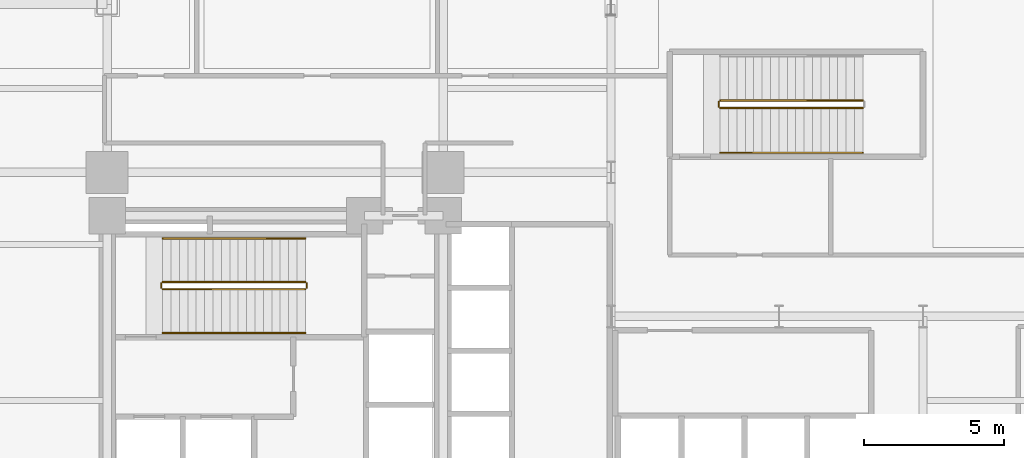
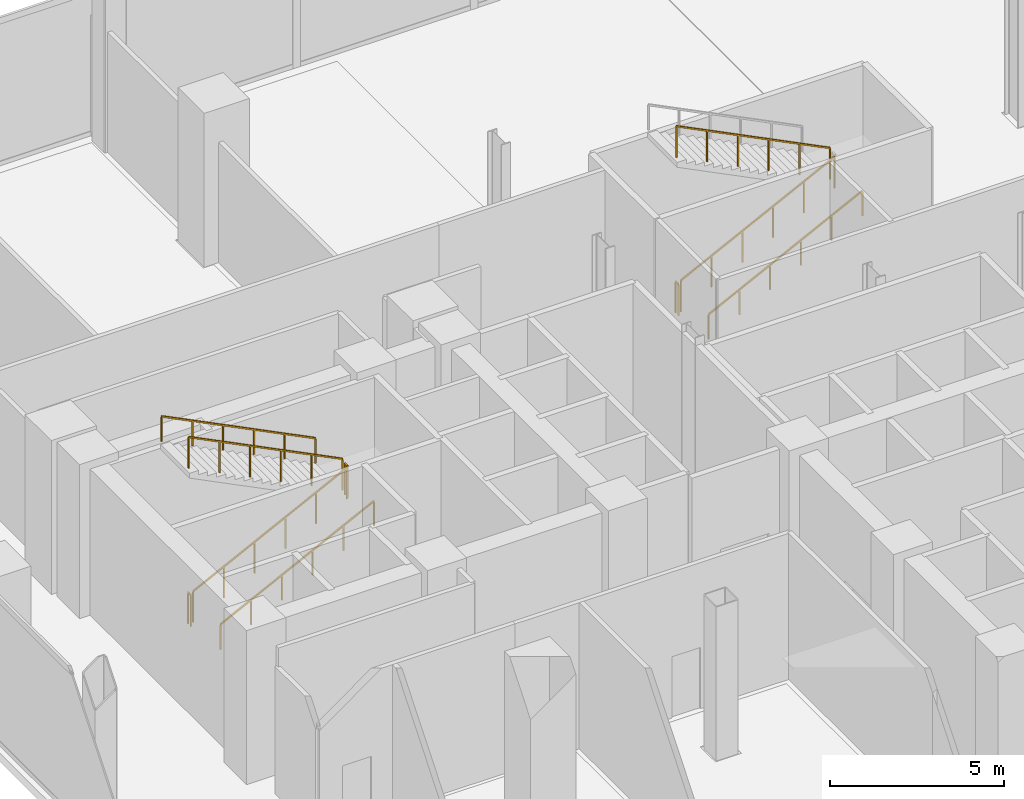
# One storey, part 25 of 27: 10 railings.
"""IFC4 building model written with IfcOpenShell, lengths in metres."""

import ifcopenshell
import ifcopenshell.guid

model = None  # the IFC model being written
_history = None  # IfcOwnerHistory: only IFC2X3 demands one
_inside = {}  # id of a spatial element -> (the spatial element, [elements in it])
_under = {}  # id of a project, library or spatial element -> (it, [spatial elements below it])
_declared = {}  # id of a project -> (the project, [libraries it declares])
_typed = {}  # id of a type object -> (the type object, [elements of that type])
_made_of = {}  # id of a material, layer set ... -> (it, [elements and type objects made of it])


def new_model(schema):
    """Start an empty IFC model of exactly this schema.

    Asked for "IFC4X3", IfcOpenShell would pick the latest addendum, in which some entities
    have other attributes; the version numbers below select the first issue.
    IFC2X3 requires an IfcOwnerHistory on every rooted entity: one is made here for all.
    """
    global model, _history
    if schema == "IFC4X3":
        model = ifcopenshell.file(schema_version=(4, 3, 0, 0))
    else:
        model = ifcopenshell.file(schema=schema)
    _inside.clear()
    _under.clear()
    _declared.clear()
    _typed.clear()
    _made_of.clear()
    _history = None
    if model.schema == "IFC2X3":
        org = make("IfcOrganization", Name="unknown")
        user = make(
            "IfcPersonAndOrganization",
            ThePerson=make("IfcPerson", FamilyName="unknown"),
            TheOrganization=org,
        )
        app = make(
            "IfcApplication",
            ApplicationDeveloper=org,
            Version="unknown",
            ApplicationFullName="unknown",
            ApplicationIdentifier="unknown",
        )
        _history = make(
            "IfcOwnerHistory",
            OwningUser=user,
            OwningApplication=app,
            ChangeAction="ADDED",
            CreationDate=0,
        )
    return model


def make(cls, **values):
    """One entity of the class cls with the attributes given. An attribute that is None is left unset."""
    return model.create_entity(
        cls, **{name: value for name, value in values.items() if value is not None}
    )


def rooted(cls, **values):
    """An entity with a GlobalId (a new one), such as an element, a storey or a relation."""
    return make(cls, GlobalId=ifcopenshell.guid.new(), OwnerHistory=_history, **values)


def si_unit(unit_type, name, prefix=None):
    """IfcSIUnit, for example si_unit("LENGTHUNIT", "METRE", prefix="MILLI")."""
    return make("IfcSIUnit", UnitType=unit_type, Prefix=prefix, Name=name)


def assignment(units):
    """IfcUnitAssignment: the units of a project."""
    return None if units is None else make("IfcUnitAssignment", Units=units)


def point(xyz):
    """IfcCartesianPoint."""
    return None if xyz is None else make("IfcCartesianPoint", Coordinates=xyz)


def direction(xyz):
    """IfcDirection."""
    return None if xyz is None else make("IfcDirection", DirectionRatios=xyz)


def frame(location, z_axis=None, x_axis=None):
    """IfcAxis2Placement3D, a coordinate frame: its origin and axes. An axis left out is left unset."""
    return make(
        "IfcAxis2Placement3D",
        Location=point(location),
        Axis=direction(z_axis),
        RefDirection=direction(x_axis),
    )


def frame_2d(location, x_axis=None):
    """IfcAxis2Placement2D, a coordinate frame in the plane: its origin and x axis."""
    return make(
        "IfcAxis2Placement2D", Location=point(location), RefDirection=direction(x_axis)
    )


def origin():
    """The frame at (0, 0, 0) with its axes left unset."""
    return frame((0.0, 0.0, 0.0))


def origin_2d():
    """The frame at (0, 0) in the plane with its x axis left unset."""
    return frame_2d((0.0, 0.0))


def place(relative_to, where):
    """IfcLocalPlacement: puts the frame where relative to a parent placement (None: the world)."""
    return make(
        "IfcLocalPlacement", PlacementRelTo=relative_to, RelativePlacement=where
    )


def context(
    kind, dimensions, precision=None, world=None, true_north=None, identifier=None
):
    """IfcGeometricRepresentationContext, for example the 3D "Model" context."""
    return make(
        "IfcGeometricRepresentationContext",
        ContextIdentifier=identifier,
        ContextType=kind,
        CoordinateSpaceDimension=dimensions,
        Precision=precision,
        WorldCoordinateSystem=world,
        TrueNorth=true_north,
    )


def subcontext(parent, identifier, kind, view, scale=None):
    """IfcGeometricRepresentationSubContext, for example "Body" below "Model"."""
    return make(
        "IfcGeometricRepresentationSubContext",
        ContextIdentifier=identifier,
        ContextType=kind,
        ParentContext=parent,
        TargetScale=scale,
        TargetView=view,
    )


def project(units=None, contexts=None):
    """IfcProject with its units and contexts."""
    return rooted(
        "IfcProject",
        Name="project",
        RepresentationContexts=contexts,
        UnitsInContext=assignment(units),
    )


def spatial(cls, under=None, at=None, **own):
    """A site, building, storey or space (cls), placed at a placement, below another one or the project."""
    s = rooted(cls, ObjectPlacement=at, **own)
    if under is not None:
        _under.setdefault(under.id(), (under, []))[1].append(s)
    return s


def profile(cls, at=None, kind="AREA", **sizes):
    """A parametric profile (cls). Its sizes go by their IFC names, for example OverallWidth=200.0."""
    return make(cls, ProfileType=kind, Position=at, **sizes)


def rectangle(**sizes):
    """IfcRectangleProfileDef."""
    return profile("IfcRectangleProfileDef", **sizes)


def extrude(swept, where, along, depth):
    """IfcExtrudedAreaSolid: the profile swept, set in the frame where, extruded along a direction by depth."""
    return make(
        "IfcExtrudedAreaSolid",
        SweptArea=swept,
        Position=where,
        ExtrudedDirection=direction(along),
        Depth=depth,
    )


def shape(context_of_items, identifier, shape_type, items):
    """IfcShapeRepresentation: the items that make up one representation, for example the "Body"."""
    return make(
        "IfcShapeRepresentation",
        ContextOfItems=context_of_items,
        RepresentationIdentifier=identifier,
        RepresentationType=shape_type,
        Items=items,
    )


def material(Name=None, Category=None):
    """IfcMaterial."""
    return make("IfcMaterial", Name=Name, Category=Category)


def made_of(thing, what):
    """Note that an element or type object is made of a material, layer set ...; save() writes the relation."""
    if what is not None:
        _made_of.setdefault(what.id(), (what, []))[1].append(thing)
    return thing


def type_object(cls, material=None, **own):
    """A type object (cls), such as IfcWallType, which elements share."""
    return made_of(rooted(cls, **own), material)


def element(
    cls,
    number,
    at=None,
    inside=None,
    cuts=None,
    type_object=None,
    material=None,
    context=None,
    identifier="Body",
    shape_type=None,
    held_by="IfcProductDefinitionShape",
    body=None,
    shapes=None,
    **own,
):
    """One element of the class cls, such as IfcWall. Its Tag is "e" and its number.

    at: its placement. inside: the storey or other place that contains it. cuts: it is an
    opening in that element (IfcRelVoidsElement). A single representation is given by context,
    identifier, shape_type and body (its items); several are given by shapes. held_by: the class
    of the entity that holds the representations. save() writes the other relations.
    """
    e = rooted(cls, Tag="e%d" % number, ObjectPlacement=at, **own)
    if body is not None:
        shapes = [shape(context, identifier, shape_type, body)]
    if shapes is not None:
        e.Representation = make(held_by, Representations=shapes)
    if inside is not None:
        _inside.setdefault(inside.id(), (inside, []))[1].append(e)
    if cuts is not None:
        rooted(
            "IfcRelVoidsElement", RelatingBuildingElement=cuts, RelatedOpeningElement=e
        )
    if type_object is not None:
        _typed.setdefault(type_object.id(), (type_object, []))[1].append(e)
    return made_of(e, material)


def aggregate(whole, parts):
    """IfcRelAggregates: a whole, such as a stair, and the parts it consists of."""
    return rooted("IfcRelAggregates", RelatingObject=whole, RelatedObjects=parts)


def save(model, path):
    """Write the relations noted so far, then the file.

    IfcRelAggregates (storeys below a building ...), IfcRelContainedInSpatialStructure (elements
    in a storey), IfcRelDefinesByType, IfcRelAssociatesMaterial and IfcRelDeclares: one each for
    every whole, place, type object, material and project.
    """
    for whole, parts in _under.values():
        aggregate(whole, parts)
    for where, things in _inside.values():
        rooted(
            "IfcRelContainedInSpatialStructure",
            RelatedElements=things,
            RelatingStructure=where,
        )
    for kind, things in _typed.values():
        rooted("IfcRelDefinesByType", RelatedObjects=things, RelatingType=kind)
    for what, things in _made_of.values():
        rooted("IfcRelAssociatesMaterial", RelatedObjects=things, RelatingMaterial=what)
    for by, libraries in _declared.values():
        rooted("IfcRelDeclares", RelatingContext=by, RelatedDefinitions=libraries)
    model.write(path)


model = new_model("IFC4")

# Units and contexts
model_context = context("Model", 3, precision=1e-05, world=origin(), true_north=direction((0.0, 1.0)))
body_context = subcontext(model_context, "Body", "Model", "MODEL_VIEW")
ifc_project = project(units=[si_unit("LENGTHUNIT", "METRE"), si_unit("AREAUNIT", "SQUARE_METRE"), si_unit("VOLUMEUNIT", "CUBIC_METRE"), si_unit("PLANEANGLEUNIT", "RADIAN"), si_unit("MASSUNIT", "GRAM", prefix="KILO"), si_unit("THERMODYNAMICTEMPERATUREUNIT", "KELVIN"), si_unit("POWERUNIT", "WATT")], contexts=[model_context])

# Site, building, storey
site_placement = place(None, origin())
site = spatial("IfcSite", under=ifc_project, at=site_placement, CompositionType="ELEMENT")
building_placement = place(site_placement, origin())
building = spatial("IfcBuilding", under=site, at=building_placement, Name="Svarakhadi Broadcast Tower", CompositionType="ELEMENT")
storey_placement = place(building_placement, frame((0.0, 0.0, 16.5)))
storey = spatial("IfcBuildingStorey", under=building, at=storey_placement, Name="L03", CompositionType="ELEMENT", Elevation=16.5)

# Railings
ifc_material = material(Name="Anodised Bronze Aluminium AA 6063-T6", Category="aluminium")
railing_type_1 = type_object("IfcRailingType", Name="Guard_Stair_GR01", PredefinedType="GUARDRAIL", material=ifc_material)
railing_1_placement = place(storey_placement, frame((7.97998046875, 24.969970703125, 0.14990234375)))
element("IfcRailing", 1, at=railing_1_placement, inside=storey, type_object=railing_type_1, Name="L03 ST-01 stair guard 1", PredefinedType="GUARDRAIL", context=body_context, shape_type="SweptSolid", body=[
    extrude(rectangle(XDim=0.048095703125, YDim=0.048095703125, at=origin_2d()), frame((0.0, 0.0, 1.09619140625), z_axis=(0.894427191, 0.0, 0.4472135955), x_axis=(0.0, 1.0, 0.0)), (0.0, 0.0, 1.0), 5.7021484375),
    extrude(rectangle(XDim=0.0419921875, YDim=0.0419921875, at=origin_2d()), origin(), (0.0, 0.0, 1.0), 1.072021484375),
    extrude(rectangle(XDim=0.0419921875, YDim=0.0419921875, at=origin_2d()), frame((1.02001953125, 0.0, 0.510009765625)), (0.0, 0.0, 1.0), 1.072021484375),
    extrude(rectangle(XDim=0.0419921875, YDim=0.0419921875, at=origin_2d()), frame((2.0400390625, 0.0, 1.02001953125)), (0.0, 0.0, 1.0), 1.072021484375),
    extrude(rectangle(XDim=0.0419921875, YDim=0.0419921875, at=origin_2d()), frame((3.06005859375, 0.0, 1.530029296875)), (0.0, 0.0, 1.0), 1.072021484375),
    extrude(rectangle(XDim=0.0419921875, YDim=0.0419921875, at=origin_2d()), frame((4.080078125, 0.0, 2.0400390625)), (0.0, 0.0, 1.0), 1.072021484375),
    extrude(rectangle(XDim=0.0419921875, YDim=0.0419921875, at=origin_2d()), frame((5.10009765625, 0.0, 2.550048828125)), (0.0, 0.0, 1.0), 1.072021484375),
])
railing_2_placement = place(storey_placement, frame((13.1298828125, 25.02001953125, 2.699951171875)))
element("IfcRailing", 2, at=railing_2_placement, inside=storey, type_object=railing_type_1, Name="L03 ST-01 stair guard 2", PredefinedType="GUARDRAIL", context=body_context, shape_type="SweptSolid", body=[
    extrude(rectangle(XDim=0.048095703125, YDim=0.048095703125, at=origin_2d()), frame((0.0, 0.0, 1.09619140625), z_axis=(0.0, 1.0, 0.0), x_axis=(-1.0, 0.0, 0.0)), (0.0, 0.0, 1.0), 0.159912109375),
    extrude(rectangle(XDim=0.0419921875, YDim=0.0419921875, at=origin_2d()), origin(), (0.0, 0.0, 1.0), 1.072021484375),
    extrude(rectangle(XDim=0.0419921875, YDim=0.0419921875, at=origin_2d()), frame((0.0, 0.159912109375, 0.0)), (0.0, 0.0, 1.0), 1.072021484375),
])
railing_3_placement = place(storey_placement, frame((13.080078125, 25.22998046875, 2.85009765625)))
element("IfcRailing", 3, at=railing_3_placement, inside=storey, type_object=railing_type_1, Name="L03 ST-01 stair guard 3", PredefinedType="GUARDRAIL", context=body_context, shape_type="SweptSolid", body=[
    extrude(rectangle(XDim=0.048095703125, YDim=0.048095703125, at=origin_2d()), frame((0.0, 0.0, 1.09619140625), z_axis=(-0.89444431709, 0.0, 0.44717934168), x_axis=(0.0, -1.0, 0.0)), (0.0, 0.0, 1.0), 5.701904296875),
    extrude(rectangle(XDim=0.0419921875, YDim=0.0419921875, at=origin_2d()), origin(), (0.0, 0.0, 1.0), 1.072021484375),
    extrude(rectangle(XDim=0.0419921875, YDim=0.0419921875, at=origin_2d()), frame((-1.02001953125, 0.0, 0.510009765625)), (0.0, 0.0, 1.0), 1.072021484375),
    extrude(rectangle(XDim=0.0419921875, YDim=0.0419921875, at=origin_2d()), frame((-2.0400390625, 0.0, 1.02001953125)), (0.0, 0.0, 1.0), 1.072021484375),
    extrude(rectangle(XDim=0.0419921875, YDim=0.0419921875, at=origin_2d()), frame((-3.06005859375, 0.0, 1.52978515625)), (0.0, 0.0, 1.0), 1.072021484375),
    extrude(rectangle(XDim=0.0419921875, YDim=0.0419921875, at=origin_2d()), frame((-4.080078125, 0.0, 2.039794921875)), (0.0, 0.0, 1.0), 1.072021484375),
    extrude(rectangle(XDim=0.0419921875, YDim=0.0419921875, at=origin_2d()), frame((-5.10009765625, 0.0, 2.5498046875)), (0.0, 0.0, 1.0), 1.072021484375),
])
railing_4_placement = place(storey_placement, frame((7.929931640625, 25.02001953125, 0.0)))
element("IfcRailing", 4, at=railing_4_placement, inside=storey, type_object=railing_type_1, Name="L03 ST-01 stair guard 4", PredefinedType="GUARDRAIL", context=body_context, shape_type="SweptSolid", body=[
    extrude(rectangle(XDim=0.048095703125, YDim=0.048095703125, at=origin_2d()), frame((0.0, 0.0, 1.09619140625), z_axis=(0.0, 1.0, 0.0), x_axis=(-1.0, 0.0, 0.0)), (0.0, 0.0, 1.0), 0.159912109375),
    extrude(rectangle(XDim=0.0419921875, YDim=0.0419921875, at=origin_2d()), origin(), (0.0, 0.0, 1.0), 1.072021484375),
    extrude(rectangle(XDim=0.0419921875, YDim=0.0419921875, at=origin_2d()), frame((0.0, 0.159912109375, 0.0)), (0.0, 0.0, 1.0), 1.072021484375),
])
railing_5_placement = place(storey_placement, frame((27.89990234375, 31.449951171875, 0.14990234375)))
element("IfcRailing", 5, at=railing_5_placement, inside=storey, type_object=railing_type_1, Name="L03 ST-03 stair guard 1", PredefinedType="GUARDRAIL", context=body_context, shape_type="SweptSolid", body=[
    extrude(rectangle(XDim=0.048095703125, YDim=0.048095703125, at=origin_2d()), frame((0.0, 0.0, 1.09619140625), z_axis=(0.894427191, 0.0, 0.4472135955), x_axis=(0.0, 1.0, 0.0)), (0.0, 0.0, 1.0), 5.7021484375),
    extrude(rectangle(XDim=0.0419921875, YDim=0.0419921875, at=origin_2d()), origin(), (0.0, 0.0, 1.0), 1.072021484375),
    extrude(rectangle(XDim=0.0419921875, YDim=0.0419921875, at=origin_2d()), frame((1.02001953125, 0.0, 0.510009765625)), (0.0, 0.0, 1.0), 1.072021484375),
    extrude(rectangle(XDim=0.0419921875, YDim=0.0419921875, at=origin_2d()), frame((2.0400390625, 0.0, 1.02001953125)), (0.0, 0.0, 1.0), 1.072021484375),
    extrude(rectangle(XDim=0.0419921875, YDim=0.0419921875, at=origin_2d()), frame((3.06005859375, 0.0, 1.530029296875)), (0.0, 0.0, 1.0), 1.072021484375),
    extrude(rectangle(XDim=0.0419921875, YDim=0.0419921875, at=origin_2d()), frame((4.080078125, 0.0, 2.0400390625)), (0.0, 0.0, 1.0), 1.072021484375),
    extrude(rectangle(XDim=0.0419921875, YDim=0.0419921875, at=origin_2d()), frame((5.10009765625, 0.0, 2.550048828125)), (0.0, 0.0, 1.0), 1.072021484375),
])
railing_6_placement = place(storey_placement, frame((33.0, 31.7099609375, 2.85009765625)))
element("IfcRailing", 6, at=railing_6_placement, inside=storey, type_object=railing_type_1, Name="L03 ST-03 stair guard 3", PredefinedType="GUARDRAIL", context=body_context, shape_type="SweptSolid", body=[
    extrude(rectangle(XDim=0.048095703125, YDim=0.048095703125, at=origin_2d()), frame((0.0, 0.0, 1.09619140625), z_axis=(-0.89444431709, 0.0, 0.44717934168), x_axis=(0.0, -1.0, 0.0)), (0.0, 0.0, 1.0), 5.701904296875),
    extrude(rectangle(XDim=0.0419921875, YDim=0.0419921875, at=origin_2d()), origin(), (0.0, 0.0, 1.0), 1.072021484375),
    extrude(rectangle(XDim=0.0419921875, YDim=0.0419921875, at=origin_2d()), frame((-1.02001953125, 0.0, 0.510009765625)), (0.0, 0.0, 1.0), 1.072021484375),
    extrude(rectangle(XDim=0.0419921875, YDim=0.0419921875, at=origin_2d()), frame((-2.0400390625, 0.0, 1.02001953125)), (0.0, 0.0, 1.0), 1.072021484375),
    extrude(rectangle(XDim=0.0419921875, YDim=0.0419921875, at=origin_2d()), frame((-3.06005859375, 0.0, 1.52978515625)), (0.0, 0.0, 1.0), 1.072021484375),
    extrude(rectangle(XDim=0.0419921875, YDim=0.0419921875, at=origin_2d()), frame((-4.080078125, 0.0, 2.039794921875)), (0.0, 0.0, 1.0), 1.072021484375),
    extrude(rectangle(XDim=0.0419921875, YDim=0.0419921875, at=origin_2d()), frame((-5.10009765625, 0.0, 2.5498046875)), (0.0, 0.0, 1.0), 1.072021484375),
])
railing_7_placement = place(storey_placement, frame((27.85009765625, 31.5, 0.0)))
element("IfcRailing", 7, at=railing_7_placement, inside=storey, type_object=railing_type_1, Name="L03 ST-03 stair guard 4", PredefinedType="GUARDRAIL", context=body_context, shape_type="SweptSolid", body=[
    extrude(rectangle(XDim=0.048095703125, YDim=0.048095703125, at=origin_2d()), frame((0.0, 0.0, 1.09619140625), z_axis=(0.0, 1.0, 0.0), x_axis=(-1.0, 0.0, 0.0)), (0.0, 0.0, 1.0), 0.159912109375),
    extrude(rectangle(XDim=0.0419921875, YDim=0.0419921875, at=origin_2d()), origin(), (0.0, 0.0, 1.0), 1.072021484375),
    extrude(rectangle(XDim=0.0419921875, YDim=0.0419921875, at=origin_2d()), frame((0.0, 0.159912109375, 0.0)), (0.0, 0.0, 1.0), 1.072021484375),
])
railing_type_2 = type_object("IfcRailingType", Name="Handrail_Stair_HR01", PredefinedType="HANDRAIL", material=ifc_material)
railing_8_placement = place(storey_placement, frame((7.97998046875, 23.409912109375, 0.14990234375)))
element("IfcRailing", 8, at=railing_8_placement, inside=storey, type_object=railing_type_2, Name="L03 ST-01 stair handrail 1", PredefinedType="HANDRAIL", context=body_context, shape_type="SweptSolid", body=[
    extrude(rectangle(XDim=0.048095703125, YDim=0.048095703125, at=origin_2d()), frame((0.0, 0.0, 0.8759765625), z_axis=(0.894427191, 0.0, 0.4472135955), x_axis=(0.0, 1.0, 0.0)), (0.0, 0.0, 1.0), 5.7021484375),
    extrude(rectangle(XDim=0.0419921875, YDim=0.0419921875, at=origin_2d()), origin(), (0.0, 0.0, 1.0), 0.851806640625),
    extrude(rectangle(XDim=0.0419921875, YDim=0.0419921875, at=origin_2d()), frame((1.02001953125, 0.0, 0.510009765625)), (0.0, 0.0, 1.0), 0.851806640625),
    extrude(rectangle(XDim=0.0419921875, YDim=0.0419921875, at=origin_2d()), frame((2.0400390625, 0.0, 1.02001953125)), (0.0, 0.0, 1.0), 0.851806640625),
    extrude(rectangle(XDim=0.0419921875, YDim=0.0419921875, at=origin_2d()), frame((3.06005859375, 0.0, 1.530029296875)), (0.0, 0.0, 1.0), 0.851806640625),
    extrude(rectangle(XDim=0.0419921875, YDim=0.0419921875, at=origin_2d()), frame((4.080078125, 0.0, 2.0400390625)), (0.0, 0.0, 1.0), 0.851806640625),
    extrude(rectangle(XDim=0.0419921875, YDim=0.0419921875, at=origin_2d()), frame((5.10009765625, 0.0, 2.550048828125)), (0.0, 0.0, 1.0), 0.851806640625),
])
railing_9_placement = place(storey_placement, frame((13.080078125, 26.7900390625, 2.85009765625)))
element("IfcRailing", 9, at=railing_9_placement, inside=storey, type_object=railing_type_2, Name="L03 ST-01 stair handrail 2", PredefinedType="HANDRAIL", context=body_context, shape_type="SweptSolid", body=[
    extrude(rectangle(XDim=0.048095703125, YDim=0.048095703125, at=origin_2d()), frame((0.0, 0.0, 0.8759765625), z_axis=(-0.89444431709, 0.0, 0.44717934168), x_axis=(0.0, -1.0, 0.0)), (0.0, 0.0, 1.0), 5.701904296875),
    extrude(rectangle(XDim=0.0419921875, YDim=0.0419921875, at=origin_2d()), origin(), (0.0, 0.0, 1.0), 0.851806640625),
    extrude(rectangle(XDim=0.0419921875, YDim=0.0419921875, at=origin_2d()), frame((-1.02001953125, 0.0, 0.510009765625)), (0.0, 0.0, 1.0), 0.851806640625),
    extrude(rectangle(XDim=0.0419921875, YDim=0.0419921875, at=origin_2d()), frame((-2.0400390625, 0.0, 1.02001953125)), (0.0, 0.0, 1.0), 0.851806640625),
    extrude(rectangle(XDim=0.0419921875, YDim=0.0419921875, at=origin_2d()), frame((-3.06005859375, 0.0, 1.52978515625)), (0.0, 0.0, 1.0), 0.851806640625),
    extrude(rectangle(XDim=0.0419921875, YDim=0.0419921875, at=origin_2d()), frame((-4.080078125, 0.0, 2.039794921875)), (0.0, 0.0, 1.0), 0.851806640625),
    extrude(rectangle(XDim=0.0419921875, YDim=0.0419921875, at=origin_2d()), frame((-5.10009765625, 0.0, 2.5498046875)), (0.0, 0.0, 1.0), 0.851806640625),
])
railing_10_placement = place(storey_placement, frame((27.89990234375, 29.85009765625, 0.14990234375)))
element("IfcRailing", 10, at=railing_10_placement, inside=storey, type_object=railing_type_2, Name="L03 ST-03 stair handrail 1", PredefinedType="HANDRAIL", context=body_context, shape_type="SweptSolid", body=[
    extrude(rectangle(XDim=0.048095703125, YDim=0.048095703125, at=origin_2d()), frame((0.0, 0.0, 0.8759765625), z_axis=(0.894427191, 0.0, 0.4472135955), x_axis=(0.0, 1.0, 0.0)), (0.0, 0.0, 1.0), 5.7021484375),
    extrude(rectangle(XDim=0.0419921875, YDim=0.0419921875, at=origin_2d()), origin(), (0.0, 0.0, 1.0), 0.851806640625),
    extrude(rectangle(XDim=0.0419921875, YDim=0.0419921875, at=origin_2d()), frame((1.02001953125, 0.0, 0.510009765625)), (0.0, 0.0, 1.0), 0.851806640625),
    extrude(rectangle(XDim=0.0419921875, YDim=0.0419921875, at=origin_2d()), frame((2.0400390625, 0.0, 1.02001953125)), (0.0, 0.0, 1.0), 0.851806640625),
    extrude(rectangle(XDim=0.0419921875, YDim=0.0419921875, at=origin_2d()), frame((3.06005859375, 0.0, 1.530029296875)), (0.0, 0.0, 1.0), 0.851806640625),
    extrude(rectangle(XDim=0.0419921875, YDim=0.0419921875, at=origin_2d()), frame((4.080078125, 0.0, 2.0400390625)), (0.0, 0.0, 1.0), 0.851806640625),
    extrude(rectangle(XDim=0.0419921875, YDim=0.0419921875, at=origin_2d()), frame((5.10009765625, 0.0, 2.550048828125)), (0.0, 0.0, 1.0), 0.851806640625),
])

save(model, "model.ifc")
